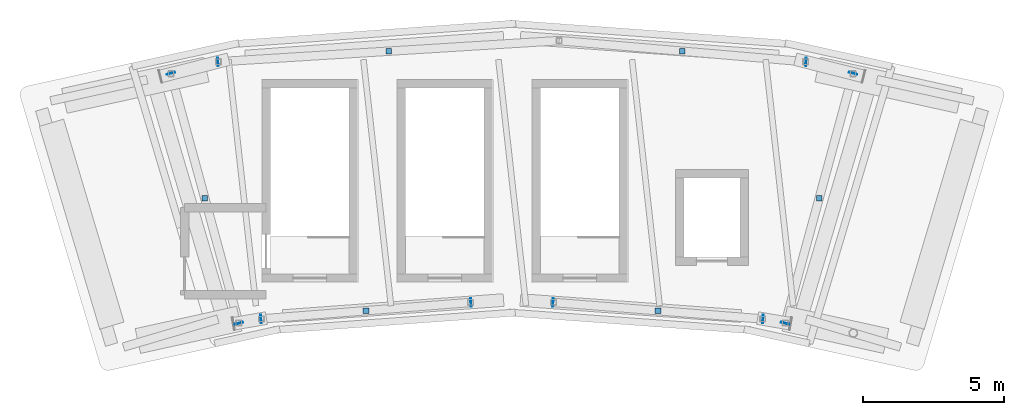
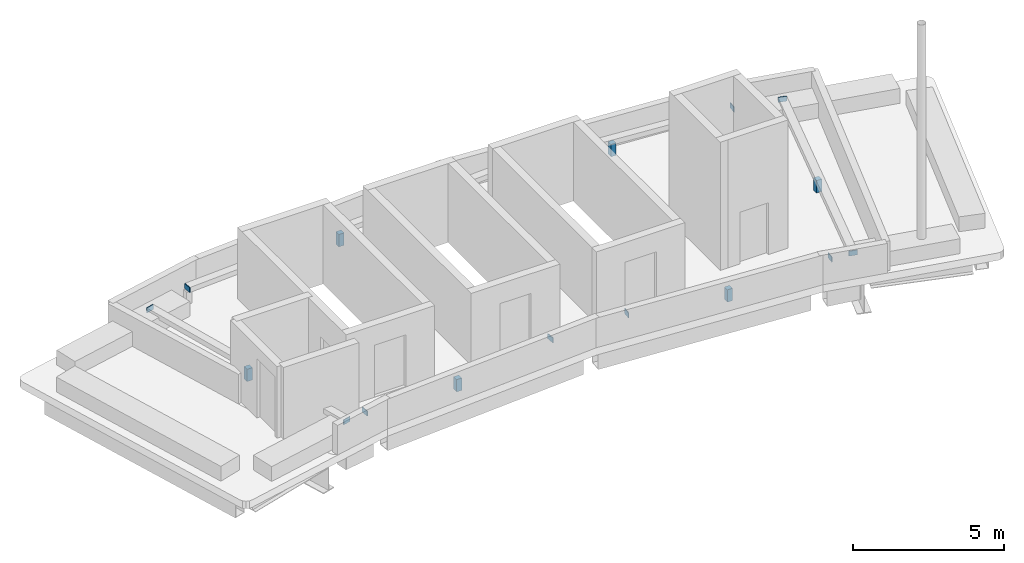
# One storey, part 4 of 6: 16 discrete accessories.
"""IFC4 building model written with IfcOpenShell, lengths in metres."""

from ifc_helpers import new_model, si_unit, direction, frame, origin, origin_2d, place, context, subcontext, project, spatial, rectangle, extrude, material, type_object, element, save


model = new_model("IFC4")

# Units and contexts
model_context = context("Model", 3, precision=1e-05, world=origin(), true_north=direction((0.0, 1.0)))
body_context = subcontext(model_context, "Body", "Model", "MODEL_VIEW")
ifc_project = project(units=[si_unit("LENGTHUNIT", "METRE"), si_unit("AREAUNIT", "SQUARE_METRE"), si_unit("VOLUMEUNIT", "CUBIC_METRE"), si_unit("PLANEANGLEUNIT", "RADIAN"), si_unit("MASSUNIT", "GRAM", prefix="KILO")], contexts=[model_context])

# Site, building, storey
site_placement = place(None, origin())
site = spatial("IfcSite", under=ifc_project, at=site_placement, CompositionType="ELEMENT")
building_placement = place(site_placement, origin())
building = spatial("IfcBuilding", under=site, at=building_placement, Name="Tuul Gate Civic Tower", CompositionType="ELEMENT")
storey_placement = place(building_placement, frame((0.0, 0.0, 384.10009765625)))
storey = spatial("IfcBuildingStorey", under=building, at=storey_placement, Name="Roof", CompositionType="ELEMENT", Elevation=384.10009765625)

# Discrete accessories
ifc_material_1 = material(Name="Steel S355", Category="steel")
discrete_accessory_type_1 = type_object("IfcDiscreteAccessoryType", Name="End cap plate", PredefinedType="BRACKET", material=ifc_material_1)
for number, where, z_axis, x_axis, name in (
    (1, (-9.93701171875, 6.524658203125, 0.5), (0.0, 0.0, 1.0), (0.262591208328, -0.964907175488, 0.0), "End cap plate"),
    (2, (-7.519287109375, -2.359375, 0.5), (0.0, 0.0, 1.0), (0.262591208328, -0.964907175488, 0.0), "End cap plate"),
    (3, (-6.730712890625, -2.206298828125, 0.5), (0.0, 0.0, 1.0), (0.996904925759, 0.07861659493, 0.0), "End cap plate"),
    (4, (0.731689453125, -1.617919921875, 0.5), (0.0, 0.0, 1.0), (0.996904925759, 0.07861659493, 0.0), "End cap plate"),
    (5, (3.65234375, -1.617919921875, 0.5), (0.0, 0.0, 1.0), (0.996904925759, -0.07861659493, 0.0), "End cap plate"),
    (6, (11.11474609375, -2.206298828125, 0.5), (0.0, 0.0, 1.0), (0.996904925759, -0.07861659493, 0.0), "End cap plate"),
    (7, (11.9033203125, -2.359375, 0.5), (0.0, 0.0, 1.0), (0.262591208328, 0.964907175488, 0.0), "End cap plate"),
    (8, (14.321044921875, 6.524658203125, 0.5), (0.0, 0.0, 1.0), (0.262591208328, 0.964907175488, 0.0), "End cap plate"),
    (9, (12.642822265625, 6.9365234375, 0.5), (0.0, 0.0, 1.0), (-0.996327954023, 0.085618970049, 0.0), "End cap plate"),
    (10, (-8.2587890625, 6.936767578125, 0.5), (0.0, 0.0, 1.0), (-0.998074835653, -0.062021145075, 0.0), "End cap plate"),
):
    element("IfcDiscreteAccessory", number, at=place(storey_placement, frame(where, z_axis=z_axis, x_axis=x_axis)), inside=storey, type_object=discrete_accessory_type_1, Name=name, PredefinedType="BRACKET", context=body_context, shape_type="SweptSolid", body=[
        extrude(rectangle(XDim=0.030029296875, YDim=0.300048828125, at=origin_2d()), origin(), (0.0, 0.0, 1.0), 0.199951171875),
    ])
ifc_material_2 = material(Name="Stainless steel", Category="steel")
discrete_accessory_type_2 = type_object("IfcDiscreteAccessoryType", Name="Roof bracket", PredefinedType="BRACKET", material=ifc_material_2)
for number, where, z_axis, x_axis, name in (
    (11, (-8.728271484375, 2.082763671875, 0.0), (0.0, 0.0, 1.0), (1.0, 0.0, 0.0), "Bracket"),
    (12, (-2.99951171875, -1.912109375, 0.0), (0.0, 0.0, 1.0), (1.0, 0.0, 0.0), "Bracket"),
    (13, (7.383544921875, -1.912109375, 0.0), (0.0, 0.0, 1.0), (1.0, 0.0, 0.0), "Bracket"),
    (14, (13.1123046875, 2.082763671875, 0.0), (0.0, 0.0, 1.0), (1.0, 0.0, 0.0), "Bracket"),
    (15, (8.248291015625, 7.314208984375, 0.0), (0.0, 0.0, 1.0), (1.0, 0.0, 0.0), "Bracket"),
    (16, (-2.1875, 7.314208984375, 0.0), (0.0, 0.0, 1.0), (1.0, 0.0, 0.0), "Bracket"),
):
    element("IfcDiscreteAccessory", number, at=place(storey_placement, frame(where, z_axis=z_axis, x_axis=x_axis)), inside=storey, type_object=discrete_accessory_type_2, Name=name, PredefinedType="BRACKET", context=body_context, shape_type="SweptSolid", body=[
        extrude(rectangle(XDim=0.199951171875, YDim=0.199951171875, at=origin_2d()), origin(), (0.0, 0.0, 1.0), 0.5),
    ])

save(model, "model.ifc")
